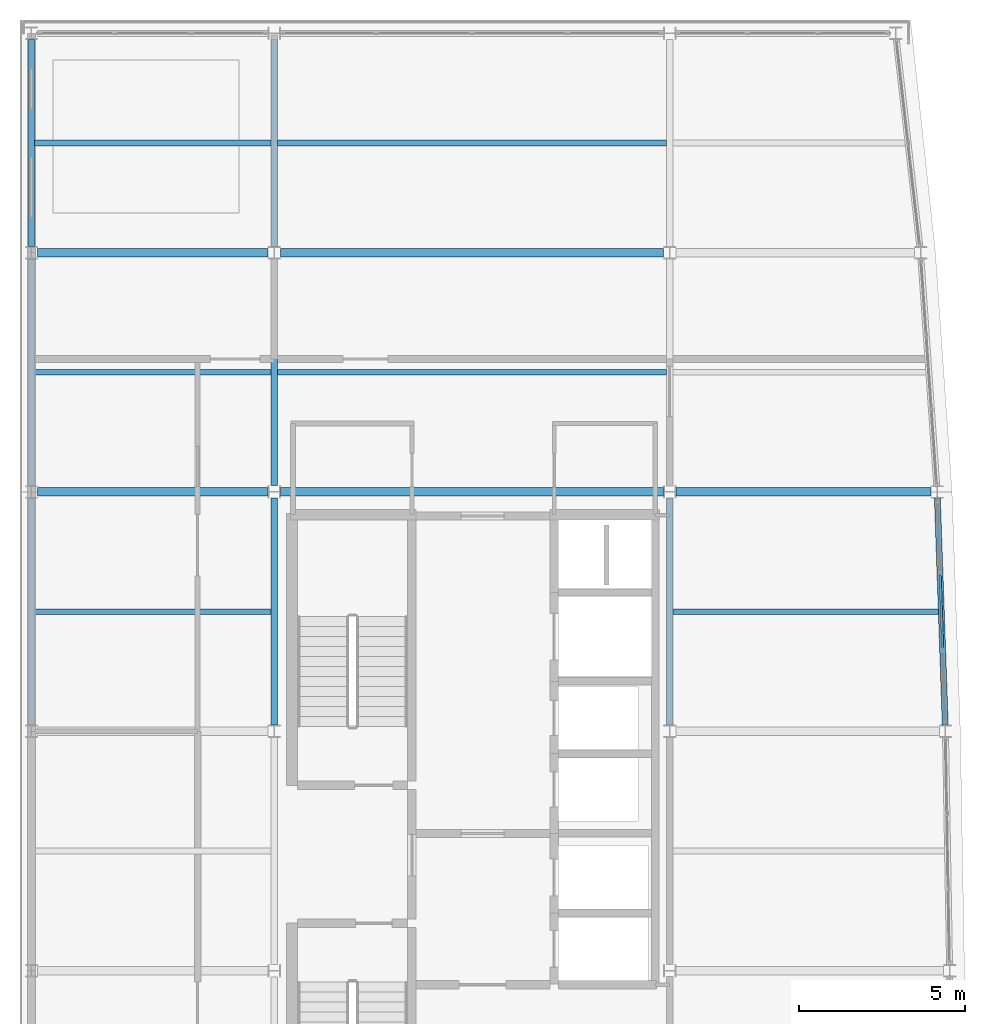
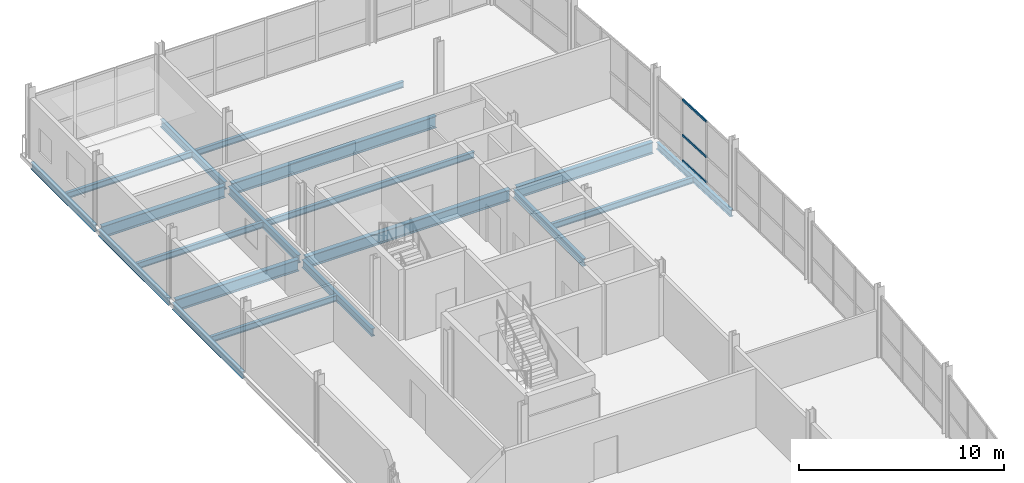
# One storey, part 7 of 20: 19 beams, 3 members, 1 element without a shape of its own.
"""IFC4 building model written with IfcOpenShell, lengths in metres."""

from ifc_helpers import new_model, si_unit, direction, frame, origin, origin_2d, place, context, subcontext, project, spatial, hollow_rectangle, i_section, extrude, material, layer, layer_set, material_profile, profile_set, type_object, element, aggregate, save


model = new_model("IFC4")

# Units and contexts
model_context = context("Model", 3, precision=1e-05, world=origin(), true_north=direction((0.0, 1.0)))
body_context = subcontext(model_context, "Body", "Model", "MODEL_VIEW")
ifc_project = project(units=[si_unit("LENGTHUNIT", "METRE"), si_unit("AREAUNIT", "SQUARE_METRE"), si_unit("VOLUMEUNIT", "CUBIC_METRE"), si_unit("PLANEANGLEUNIT", "RADIAN"), si_unit("MASSUNIT", "GRAM", prefix="KILO")], contexts=[model_context])

# Site, building, storey
site_placement = place(None, origin())
site = spatial("IfcSite", under=ifc_project, at=site_placement, CompositionType="ELEMENT")
building_placement = place(site_placement, origin())
building = spatial("IfcBuilding", under=site, at=building_placement, Name="Quillay Park Conservatory", CompositionType="ELEMENT")
storey_placement = place(building_placement, frame((0.0, 0.0, 30.89990234375)))
storey = spatial("IfcBuildingStorey", under=building, at=storey_placement, Name="L07", CompositionType="ELEMENT", Elevation=30.89990234375)

# Beams
ifc_material_1 = material(Name="Steel ASTM A992 Grade 50", Category="steel")
ifc_material_profile_1 = material_profile(ifc_material_1, i_section(OverallWidth=0.172119140625, OverallDepth=0.35791015625, WebThickness=0.0078125, FlangeThickness=0.01318359375, FilletRadius=0.010986328125, at=origin_2d()), Name="W360x57")
ifc_profile_set_1 = profile_set([ifc_material_profile_1], Name="Steel ASTM A992 Grade 50")
beam_type_1 = type_object("IfcBeamType", Name="COMPOSITE FLOOR JOIST W360 X57", PredefinedType="JOIST", material=ifc_profile_set_1)
beam_1_placement = place(storey_placement, frame((0.639892578125, 96.0, -0.39892578125), z_axis=(1.0, 0.0, 0.0), x_axis=(0.0, 1.0, 0.0)))
element("IfcBeam", 1, at=beam_1_placement, inside=storey, type_object=beam_type_1, Name="L07 beam BM-J-0568", PredefinedType="JOIST", context=body_context, shape_type="SweptSolid", body=[
    extrude(i_section(OverallWidth=0.172119140625, OverallDepth=0.35791015625, WebThickness=0.0078125, FlangeThickness=0.01318359375, FilletRadius=0.010986328125, at=origin_2d()), origin(), (0.0, 0.0, 1.0), 7.114013671875),
])
beam_2_placement = place(storey_placement, frame((19.845947265625, 96.0, -0.39892578125), z_axis=(1.0, 0.0, 0.0), x_axis=(0.0, 1.0, 0.0)))
element("IfcBeam", 2, at=beam_2_placement, inside=storey, type_object=beam_type_1, Name="L07 beam BM-J-0569", PredefinedType="JOIST", context=body_context, shape_type="SweptSolid", body=[
    extrude(i_section(OverallWidth=0.172119140625, OverallDepth=0.35791015625, WebThickness=0.0078125, FlangeThickness=0.01318359375, FilletRadius=0.010986328125, at=origin_2d()), origin(), (0.0, 0.0, 1.0), 7.989013671875),
])
beam_3_placement = place(storey_placement, frame((0.639892578125, 103.199951171875, -0.39892578125), z_axis=(1.0, 0.0, 0.0), x_axis=(0.0, 1.0, 0.0)))
element("IfcBeam", 3, at=beam_3_placement, inside=storey, type_object=beam_type_1, Name="L07 beam BM-J-0574", PredefinedType="JOIST", context=body_context, shape_type="SweptSolid", body=[
    extrude(i_section(OverallWidth=0.172119140625, OverallDepth=0.35791015625, WebThickness=0.0078125, FlangeThickness=0.01318359375, FilletRadius=0.010986328125, at=origin_2d()), origin(), (0.0, 0.0, 1.0), 7.114013671875),
])
beam_4_placement = place(storey_placement, frame((7.946044921875, 103.199951171875, -0.39892578125), z_axis=(1.0, 0.0, 0.0), x_axis=(0.0, 1.0, 0.0)))
element("IfcBeam", 4, at=beam_4_placement, inside=storey, type_object=beam_type_1, Name="L07 beam BM-J-0576", PredefinedType="JOIST", context=body_context, shape_type="SweptSolid", body=[
    extrude(i_section(OverallWidth=0.172119140625, OverallDepth=0.35791015625, WebThickness=0.0078125, FlangeThickness=0.01318359375, FilletRadius=0.010986328125, at=origin_2d()), origin(), (0.0, 0.0, 1.0), 11.7080078125),
])
beam_5_placement = place(storey_placement, frame((0.639892578125, 110.10009765625, -0.39892578125), z_axis=(1.0, 0.0, 0.0), x_axis=(0.0, 1.0, 0.0)))
element("IfcBeam", 5, at=beam_5_placement, inside=storey, type_object=beam_type_1, Name="L07 beam BM-J-0581", PredefinedType="JOIST", context=body_context, shape_type="SweptSolid", body=[
    extrude(i_section(OverallWidth=0.172119140625, OverallDepth=0.35791015625, WebThickness=0.0078125, FlangeThickness=0.01318359375, FilletRadius=0.010986328125, at=origin_2d()), origin(), (0.0, 0.0, 1.0), 7.114013671875),
])
beam_6_placement = place(storey_placement, frame((7.946044921875, 110.10009765625, -0.39892578125), z_axis=(1.0, 0.0, 0.0), x_axis=(0.0, 1.0, 0.0)))
element("IfcBeam", 6, at=beam_6_placement, inside=storey, type_object=beam_type_1, Name="L07 beam BM-J-0583", PredefinedType="JOIST", context=body_context, shape_type="SweptSolid", body=[
    extrude(i_section(OverallWidth=0.172119140625, OverallDepth=0.35791015625, WebThickness=0.0078125, FlangeThickness=0.01318359375, FilletRadius=0.010986328125, at=origin_2d()), origin(), (0.0, 0.0, 1.0), 11.7080078125),
])

# Curtain wall, members
ifc_material_2 = material(Name="Thermally Broken Anodised Aluminium 6063-T6", Category="aluminium")
ifc_layer = layer(ifc_material_2, 0.199951171875)
ifc_layer_set = layer_set([ifc_layer], Name="UNITISED CURTAIN WALL HERBARIUM (Thermally Broken Anodised Aluminium 6063-T6)")
curtain_wall_type = type_object("IfcCurtainWallType", Name="UNITISED CURTAIN WALL HERBARIUM", PredefinedType="USERDEFINED", material=ifc_layer_set)
curtain_wall_placement = place(storey_placement, origin())
curtain_wall = element("IfcCurtainWall", 7, at=curtain_wall_placement, inside=storey, type_object=curtain_wall_type, Name="L07 Unitised Curtain Wall 072", ObjectType="UNITISED CURTAIN WALL", PredefinedType="USERDEFINED")
ifc_material_3 = material(Name="Thermally Broken Anodised Aluminium 6063-T6", Category="aluminium")
ifc_material_profile_2 = material_profile(ifc_material_3, hollow_rectangle(XDim=0.070068359375, YDim=0.1298828125, WallThickness=0.003173828125, at=origin_2d()), Name="AL70x130x3.2")
ifc_profile_set_2 = profile_set([ifc_material_profile_2], Name="Thermally Broken Anodised Aluminium 6063-T6")
member_type = type_object("IfcMemberType", Name="CURTAIN WALL TRANSOM 70 X130", PredefinedType="USERDEFINED", material=ifc_profile_set_2)
member_1_placement = place(storey_placement, frame((27.886962890625, 97.098388671875, 0.03515625), z_axis=(0.034653546152, -0.999399385501, 0.0), x_axis=(0.999399385501, 0.034653546152, 0.0)))
member_1 = element("IfcMember", 8, at=member_1_placement, type_object=member_type, Name="CW-T2 transom 2.1", ObjectType="TRANSOM", PredefinedType="USERDEFINED", context=body_context, shape_type="SweptSolid", body=[
    extrude(hollow_rectangle(XDim=0.070068359375, YDim=0.1298828125, WallThickness=0.003173828125, at=origin_2d()), origin(), (0.0, 0.0, 1.0), 2.197998046875),
])
member_2_placement = place(storey_placement, frame((27.886962890625, 97.098388671875, 1.548583984375), z_axis=(0.034653546152, -0.999399385501, 0.0), x_axis=(0.999399385501, 0.034653546152, 0.0)))
member_2 = element("IfcMember", 9, at=member_2_placement, type_object=member_type, Name="CW-T2 transom 2.2", ObjectType="TRANSOM", PredefinedType="USERDEFINED", context=body_context, shape_type="SweptSolid", body=[
    extrude(hollow_rectangle(XDim=0.070068359375, YDim=0.1298828125, WallThickness=0.003173828125, at=origin_2d()), origin(), (0.0, 0.0, 1.0), 2.197998046875),
])
member_3_placement = place(storey_placement, frame((27.886962890625, 97.098388671875, 3.652099609375), z_axis=(0.034653546152, -0.999399385501, 0.0), x_axis=(0.999399385501, 0.034653546152, 0.0)))
member_3 = element("IfcMember", 10, at=member_3_placement, type_object=member_type, Name="CW-T2 transom 2.3", ObjectType="TRANSOM", PredefinedType="USERDEFINED", context=body_context, shape_type="SweptSolid", body=[
    extrude(hollow_rectangle(XDim=0.070068359375, YDim=0.1298828125, WallThickness=0.003173828125, at=origin_2d()), origin(), (0.0, 0.0, 1.0), 2.197998046875),
])
aggregate(curtain_wall, [member_1, member_2, member_3])

# Beams
ifc_material_4 = material(Name="Steel ASTM A992 Grade 50", Category="steel")
ifc_material_profile_3 = material_profile(ifc_material_4, i_section(OverallWidth=0.179931640625, OverallDepth=0.4130859375, WebThickness=0.009765625, FlangeThickness=0.01611328125, FilletRadius=0.011962890625, at=origin_2d()), Name="W410x74")
ifc_profile_set_3 = profile_set([ifc_material_profile_3], Name="Steel ASTM A992 Grade 50")
beam_type_2 = type_object("IfcBeamType", Name="PERIMETER SPANDREL BEAM W410 X74", PredefinedType="SPANDREL", material=ifc_profile_set_3)
beam_7_placement = place(storey_placement, frame((0.550048828125, 92.5859375, -0.426513671875), z_axis=(0.0, 1.0, 0.0), x_axis=(-1.0, 0.0, 0.0)))
element("IfcBeam", 11, at=beam_7_placement, inside=storey, type_object=beam_type_2, Name="L07 beam BM-SPW-0564", PredefinedType="SPANDREL", context=body_context, shape_type="SweptSolid", body=[
    extrude(i_section(OverallWidth=0.179931640625, OverallDepth=0.4130859375, WebThickness=0.009765625, FlangeThickness=0.01611328125, FilletRadius=0.011962890625, at=origin_2d()), origin(), (0.0, 0.0, 1.0), 6.828125),
])
beam_8_placement = place(storey_placement, frame((28.04345703125, 92.5859375, -0.426513671875), z_axis=(-0.034697344385, 0.999397865864, 0.0), x_axis=(-0.999397865864, -0.034697344385, 0.0)))
element("IfcBeam", 12, at=beam_8_placement, inside=storey, type_object=beam_type_2, Name="L07 beam BM-SPE-0565", PredefinedType="SPANDREL", context=body_context, shape_type="SweptSolid", body=[
    extrude(i_section(OverallWidth=0.179931640625, OverallDepth=0.4130859375, WebThickness=0.009765625, FlangeThickness=0.01611328125, FilletRadius=0.011962890625, at=origin_2d()), origin(), (0.0, 0.0, 1.0), 6.832275390625),
])
beam_9_placement = place(storey_placement, frame((0.550048828125, 99.785888671875, -0.426513671875), z_axis=(0.0, 1.0, 0.0), x_axis=(-1.0, 0.0, 0.0)))
element("IfcBeam", 13, at=beam_9_placement, inside=storey, type_object=beam_type_2, Name="L07 beam BM-SPW-0570", PredefinedType="SPANDREL", context=body_context, shape_type="SweptSolid", body=[
    extrude(i_section(OverallWidth=0.179931640625, OverallDepth=0.4130859375, WebThickness=0.009765625, FlangeThickness=0.01611328125, FilletRadius=0.011962890625, at=origin_2d()), origin(), (0.0, 0.0, 1.0), 6.828125),
])
beam_10_placement = place(storey_placement, frame((0.550048828125, 106.986083984375, -0.426513671875), z_axis=(0.0, 1.0, 0.0), x_axis=(-1.0, 0.0, 0.0)))
element("IfcBeam", 14, at=beam_10_placement, inside=storey, type_object=beam_type_2, Name="L07 beam BM-SPW-0577", PredefinedType="SPANDREL", context=body_context, shape_type="SweptSolid", body=[
    extrude(i_section(OverallWidth=0.179931640625, OverallDepth=0.4130859375, WebThickness=0.009765625, FlangeThickness=0.01611328125, FilletRadius=0.011962890625, at=origin_2d()), origin(), (0.0, 0.0, 1.0), 6.22802734375),
])
ifc_material_5 = material(Name="Steel ASTM A992 Grade 50", Category="steel")
ifc_material_profile_4 = material_profile(ifc_material_5, i_section(OverallWidth=0.19189453125, OverallDepth=0.462890625, WebThickness=0.010498046875, FlangeThickness=0.017578125, FilletRadius=0.012939453125, at=origin_2d()), Name="W460x89")
ifc_profile_set_4 = profile_set([ifc_material_profile_4], Name="Steel ASTM A992 Grade 50")
beam_type_3 = type_object("IfcBeamType", Name="PRIMARY FLOOR GIRDER W460 X89", PredefinedType="BEAM", material=ifc_profile_set_4)
for number, where, z_axis, x_axis, name in (
    (15, (7.85009765625, 92.5859375, -0.451416015625), (0.0, 1.0, 0.0), (-1.0, 0.0, 0.0), "L07 beam BM-GNS-0566"),
    (16, (19.75, 92.5859375, -0.451416015625), (0.0, 1.0, 0.0), (-1.0, 0.0, 0.0), "L07 beam BM-GNS-0567"),
):
    element("IfcBeam", number, at=place(storey_placement, frame(where, z_axis=z_axis, x_axis=x_axis)), inside=storey, type_object=beam_type_3, Name=name, PredefinedType="BEAM", context=body_context, shape_type="SweptSolid", body=[
        extrude(i_section(OverallWidth=0.19189453125, OverallDepth=0.462890625, WebThickness=0.010498046875, FlangeThickness=0.017578125, FilletRadius=0.012939453125, at=origin_2d()), origin(), (0.0, 0.0, 1.0), 6.8271484375),
    ])
beam_11_placement = place(storey_placement, frame((7.85009765625, 99.787109375, -0.451416015625), z_axis=(0.0, 1.0, 0.0), x_axis=(-1.0, 0.0, 0.0)))
element("IfcBeam", 17, at=beam_11_placement, inside=storey, type_object=beam_type_3, Name="L07 beam BM-GNS-0572", PredefinedType="BEAM", context=body_context, shape_type="SweptSolid", body=[
    extrude(i_section(OverallWidth=0.19189453125, OverallDepth=0.462890625, WebThickness=0.010498046875, FlangeThickness=0.017578125, FilletRadius=0.012939453125, at=origin_2d()), origin(), (0.0, 0.0, 1.0), 6.826904296875),
])
beam_12_placement = place(storey_placement, frame((7.85009765625, 106.986083984375, -0.451416015625), z_axis=(0.0, 1.0, 0.0), x_axis=(-1.0, 0.0, 0.0)))
element("IfcBeam", 18, at=beam_12_placement, inside=storey, type_object=beam_type_3, Name="L07 beam BM-GNS-0579", PredefinedType="BEAM", context=body_context, shape_type="SweptSolid", body=[
    extrude(i_section(OverallWidth=0.19189453125, OverallDepth=0.462890625, WebThickness=0.010498046875, FlangeThickness=0.017578125, FilletRadius=0.012939453125, at=origin_2d()), origin(), (0.0, 0.0, 1.0), 6.226806640625),
])
ifc_material_6 = material(Name="Steel ASTM A992 Grade 50", Category="steel")
ifc_material_profile_5 = material_profile(ifc_material_6, i_section(OverallWidth=0.256103515625, OverallDepth=0.693115234375, WebThickness=0.014404296875, FlangeThickness=0.023681640625, FilletRadius=0.01611328125, at=origin_2d()), Name="W690x170")
ifc_profile_set_5 = profile_set([ifc_material_profile_5], Name="Steel ASTM A992 Grade 50")
beam_type_4 = type_object("IfcBeamType", Name="PRIMARY FLOOR GIRDER W690 X170", PredefinedType="BEAM", material=ifc_profile_set_5)
beam_13_placement = place(storey_placement, frame((0.737060546875, 99.60009765625, -0.56640625), z_axis=(1.0, 0.0, 0.0), x_axis=(0.0, 1.0, 0.0)))
element("IfcBeam", 19, at=beam_13_placement, inside=storey, type_object=beam_type_4, Name="L07 beam BM-HB-0529", PredefinedType="BEAM", context=body_context, shape_type="SweptSolid", body=[
    extrude(i_section(OverallWidth=0.256103515625, OverallDepth=0.693115234375, WebThickness=0.014404296875, FlangeThickness=0.023681640625, FilletRadius=0.01611328125, at=origin_2d()), origin(), (0.0, 0.0, 1.0), 6.927001953125),
])
beam_14_placement = place(storey_placement, frame((8.035888671875, 99.60009765625, -0.56640625), z_axis=(1.0, 0.0, 0.0), x_axis=(0.0, 1.0, 0.0)))
element("IfcBeam", 20, at=beam_14_placement, inside=storey, type_object=beam_type_4, Name="L07 beam BM-HB-0530", PredefinedType="BEAM", context=body_context, shape_type="SweptSolid", body=[
    extrude(i_section(OverallWidth=0.256103515625, OverallDepth=0.693115234375, WebThickness=0.014404296875, FlangeThickness=0.023681640625, FilletRadius=0.01611328125, at=origin_2d()), origin(), (0.0, 0.0, 1.0), 11.528076171875),
])
beam_15_placement = place(storey_placement, frame((19.93603515625, 99.60009765625, -0.56640625), z_axis=(1.0, 0.0, 0.0), x_axis=(0.0, 1.0, 0.0)))
element("IfcBeam", 21, at=beam_15_placement, inside=storey, type_object=beam_type_4, Name="L07 beam BM-HB-0531", PredefinedType="BEAM", context=body_context, shape_type="SweptSolid", body=[
    extrude(i_section(OverallWidth=0.256103515625, OverallDepth=0.693115234375, WebThickness=0.014404296875, FlangeThickness=0.023681640625, FilletRadius=0.01611328125, at=origin_2d()), origin(), (0.0, 0.0, 1.0), 7.677001953125),
])
beam_16_placement = place(storey_placement, frame((0.737060546875, 106.800048828125, -0.56640625), z_axis=(1.0, 0.0, 0.0), x_axis=(0.0, 1.0, 0.0)))
element("IfcBeam", 22, at=beam_16_placement, inside=storey, type_object=beam_type_4, Name="L07 beam BM-HB-0532", PredefinedType="BEAM", context=body_context, shape_type="SweptSolid", body=[
    extrude(i_section(OverallWidth=0.256103515625, OverallDepth=0.693115234375, WebThickness=0.014404296875, FlangeThickness=0.023681640625, FilletRadius=0.01611328125, at=origin_2d()), origin(), (0.0, 0.0, 1.0), 6.926025390625),
])
beam_17_placement = place(storey_placement, frame((8.037109375, 106.800048828125, -0.56640625), z_axis=(1.0, 0.0, 0.0), x_axis=(0.0, 1.0, 0.0)))
element("IfcBeam", 23, at=beam_17_placement, inside=storey, type_object=beam_type_4, Name="L07 beam BM-HB-0533", PredefinedType="BEAM", context=body_context, shape_type="SweptSolid", body=[
    extrude(i_section(OverallWidth=0.256103515625, OverallDepth=0.693115234375, WebThickness=0.014404296875, FlangeThickness=0.023681640625, FilletRadius=0.01611328125, at=origin_2d()), origin(), (0.0, 0.0, 1.0), 11.52587890625),
])

save(model, "model.ifc")
